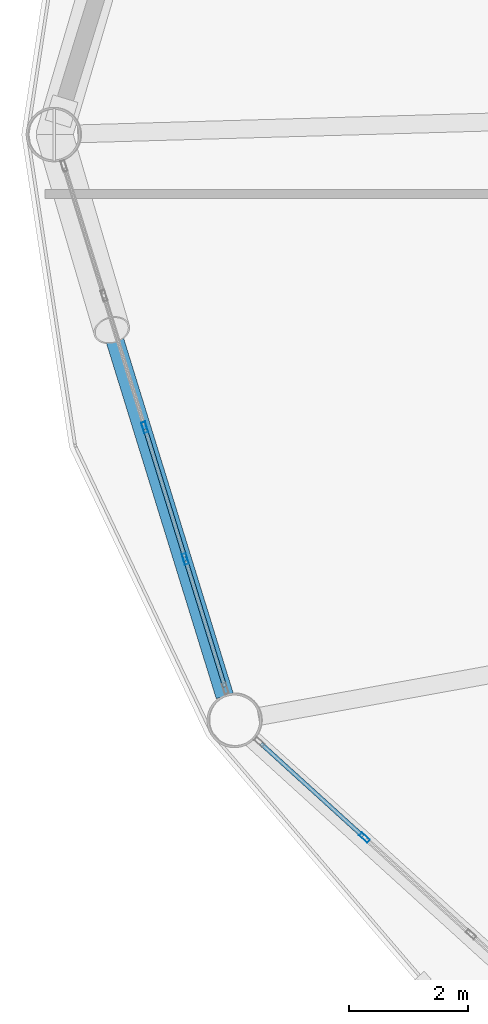
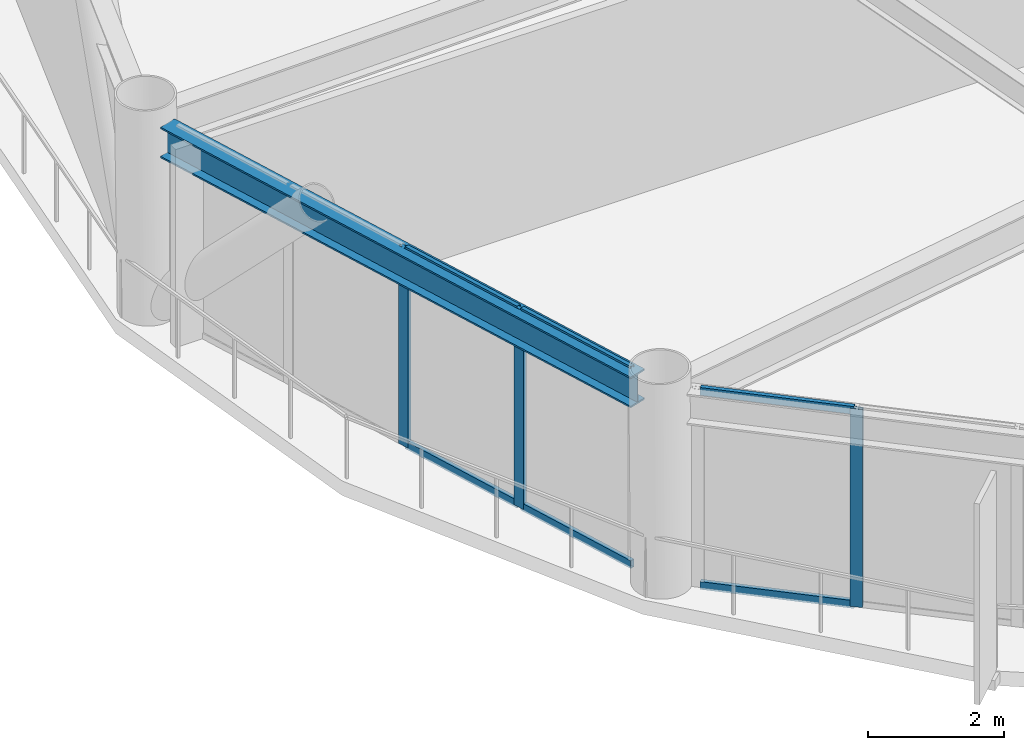
# One storey, part 3 of 25: 9 members, 1 beam, 2 elements without a shape of their own.
"""IFC4 building model written with IfcOpenShell, lengths in metres."""

from ifc_helpers import new_model, si_unit, direction, frame, origin, origin_2d, place, context, subcontext, project, spatial, hollow_rectangle, i_section, extrude, material, layer, layer_set, material_profile, profile_set, type_object, element, aggregate, save


model = new_model("IFC4")

# Units and contexts
model_context = context("Model", 3, precision=1e-05, world=origin(), true_north=direction((0.0, 1.0)))
body_context = subcontext(model_context, "Body", "Model", "MODEL_VIEW")
ifc_project = project(units=[si_unit("LENGTHUNIT", "METRE"), si_unit("AREAUNIT", "SQUARE_METRE"), si_unit("VOLUMEUNIT", "CUBIC_METRE"), si_unit("PLANEANGLEUNIT", "RADIAN"), si_unit("MASSUNIT", "GRAM", prefix="KILO")], contexts=[model_context])

# Site, building, storey
site_placement = place(None, origin())
site = spatial("IfcSite", under=ifc_project, at=site_placement, CompositionType="ELEMENT")
building_placement = place(site_placement, origin())
building = spatial("IfcBuilding", under=site, at=building_placement, Name="Varnakorn Sky Granary", CompositionType="ELEMENT")
storey_placement = place(building_placement, frame((0.0, 0.0, 74.39990234375)))
storey = spatial("IfcBuildingStorey", under=building, at=storey_placement, Name="L18", CompositionType="ELEMENT", Elevation=74.39990234375)

# Beam
ifc_material_1 = material(Name="Steel S355JR", Category="steel")
ifc_material_profile_1 = material_profile(ifc_material_1, i_section(OverallWidth=0.300048828125, OverallDepth=0.550048828125, WebThickness=0.014892578125, FlangeThickness=0.029052734375, at=origin_2d()), Name="HE 550 B")
ifc_profile_set_1 = profile_set([ifc_material_profile_1], Name="Steel S355JR")
beam_type = type_object("IfcBeamType", Name="BM-SPD-Z1", PredefinedType="SPANDREL", material=ifc_profile_set_1)
beam_placement = place(storey_placement, frame((-23.1806640625, -0.42236328125, 3.275146484375), z_axis=(0.295047656432, -0.955482538006, 0.0), x_axis=(0.955482538006, 0.295047656432, 0.0)))
element("IfcBeam", 1, at=beam_placement, inside=storey, type_object=beam_type, Name="Perimeter Spandrel Ring Beam RB07 L18", PredefinedType="SPANDREL", context=body_context, shape_type="SweptSolid", body=[
    extrude(i_section(OverallWidth=0.300048828125, OverallDepth=0.550048828125, WebThickness=0.014892578125, FlangeThickness=0.029052734375, at=origin_2d()), origin(), (0.0, 0.0, 1.0), 9.41650390625),
])

# Curtain wall, members
ifc_material_2 = material(Name="Anodised Bronze Aluminium Alloy 6063-T6", Category="aluminium")
ifc_layer = layer(ifc_material_2, 0.18994140625, Name="Anodised Bronze Aluminium Alloy 6063-T6")
ifc_layer_set = layer_set([ifc_layer], Name="Anodised Bronze Aluminium Alloy 6063-T6")
curtain_wall_type = type_object("IfcCurtainWallType", Name="CW-FRM-1", PredefinedType="USERDEFINED", material=ifc_layer_set)
curtain_wall_1_placement = place(storey_placement, origin())
curtain_wall_1 = element("IfcCurtainWall", 2, at=curtain_wall_1_placement, inside=storey, type_object=curtain_wall_type, Name="Unitised Curtain Wall CW3 CW-L18-B07", ObjectType="CURTAIN WALL", PredefinedType="USERDEFINED")
ifc_material_profile_2 = material_profile(ifc_material_2, hollow_rectangle(XDim=0.070068359375, YDim=0.18505859375, WallThickness=0.00390625, at=origin_2d()), Name="ALU MULL 70x185")
ifc_profile_set_2 = profile_set([ifc_material_profile_2], Name="Anodised Bronze Aluminium Alloy 6063-T6")
member_type_1 = type_object("IfcMemberType", Name="CW-FRM-1-MULL", PredefinedType="MULLION", material=ifc_profile_set_2)
member_1_placement = place(storey_placement, frame((-21.06396484375, -7.120361328125, 0.0), z_axis=(0.0, 0.0, 1.0), x_axis=(-0.955503832529, -0.294978687405, 0.0)))
member_1 = element("IfcMember", 3, at=member_1_placement, type_object=member_type_1, Name="CW3 mullion 2", PredefinedType="MULLION", context=body_context, shape_type="SweptSolid", body=[
    extrude(hollow_rectangle(XDim=0.070068359375, YDim=0.18505859375, WallThickness=0.00390625, at=origin_2d()), origin(), (0.0, 0.0, 1.0), 3.550048828125),
])
member_2_placement = place(storey_placement, frame((-21.745849609375, -4.91162109375, 0.0), z_axis=(0.0, 0.0, 1.0), x_axis=(-0.955503832529, -0.294978687405, 0.0)))
member_2 = element("IfcMember", 4, at=member_2_placement, type_object=member_type_1, Name="CW3 mullion 3", PredefinedType="MULLION", context=body_context, shape_type="SweptSolid", body=[
    extrude(hollow_rectangle(XDim=0.070068359375, YDim=0.18505859375, WallThickness=0.00390625, at=origin_2d()), origin(), (0.0, 0.0, 1.0), 3.550048828125),
])

# Curtain wall, member
curtain_wall_2_placement = place(storey_placement, origin())
curtain_wall_2 = element("IfcCurtainWall", 5, at=curtain_wall_2_placement, inside=storey, type_object=curtain_wall_type, Name="Unitised Curtain Wall CW3 CW-L18-B08", ObjectType="CURTAIN WALL", PredefinedType="USERDEFINED")
member_3_placement = place(storey_placement, frame((-18.05908203125, -11.79443359375, 0.0), z_axis=(0.0, 0.0, 1.0), x_axis=(-0.672398130197, -0.740189674683, 0.0)))
member_3 = element("IfcMember", 6, at=member_3_placement, type_object=member_type_1, Name="CW3 mullion 4", PredefinedType="MULLION", context=body_context, shape_type="SweptSolid", body=[
    extrude(hollow_rectangle(XDim=0.070068359375, YDim=0.18505859375, WallThickness=0.00390625, at=origin_2d()), origin(), (0.0, 0.0, 1.0), 3.550048828125),
])

# Member
ifc_material_profile_3 = material_profile(ifc_material_2, hollow_rectangle(XDim=0.070068359375, YDim=0.139892578125, WallThickness=0.00341796875, at=origin_2d()), Name="ALU TRAN 70x140")
ifc_profile_set_3 = profile_set([ifc_material_profile_3], Name="Anodised Bronze Aluminium Alloy 6063-T6")
member_type_2 = type_object("IfcMemberType", Name="CW-FRM-1-TRAN", PredefinedType="USERDEFINED", material=ifc_profile_set_3)
member_4_placement = place(storey_placement, frame((-20.402587890625, -9.26220703125, 0.03515625), z_axis=(-0.29497205597, 0.955505879729, 0.0), x_axis=(-0.955505879729, -0.29497205597, 0.0)))
member_4 = element("IfcMember", 7, at=member_4_placement, type_object=member_type_2, Name="CW3 transom 1.1", ObjectType="TRANSOM", PredefinedType="USERDEFINED", context=body_context, shape_type="SweptSolid", body=[
    extrude(hollow_rectangle(XDim=0.070068359375, YDim=0.139892578125, WallThickness=0.00341796875, at=origin_2d()), origin(), (0.0, 0.0, 1.0), 2.20654296875),
])

member_5_placement = place(storey_placement, frame((-20.402587890625, -9.26220703125, 3.51513671875), z_axis=(-0.29497205597, 0.955505879729, 0.0), x_axis=(-0.955505879729, -0.29497205597, 0.0)))
member_5 = element("IfcMember", 8, at=member_5_placement, type_object=member_type_2, Name="CW3 transom 1.2", ObjectType="TRANSOM", PredefinedType="USERDEFINED", context=body_context, shape_type="SweptSolid", body=[
    extrude(hollow_rectangle(XDim=0.070068359375, YDim=0.139892578125, WallThickness=0.00341796875, at=origin_2d()), origin(), (0.0, 0.0, 1.0), 2.20654296875),
])

member_6_placement = place(storey_placement, frame((-21.07421875, -7.0869140625, 0.03515625), z_axis=(-0.294912232506, 0.955524345644, 0.0), x_axis=(-0.955524345644, -0.294912232506, 0.0)))
member_6 = element("IfcMember", 9, at=member_6_placement, type_object=member_type_2, Name="CW3 transom 2.1", ObjectType="TRANSOM", PredefinedType="USERDEFINED", context=body_context, shape_type="SweptSolid", body=[
    extrude(hollow_rectangle(XDim=0.070068359375, YDim=0.139892578125, WallThickness=0.00341796875, at=origin_2d()), origin(), (0.0, 0.0, 1.0), 2.24169921875),
])

member_7_placement = place(storey_placement, frame((-21.07421875, -7.0869140625, 3.51513671875), z_axis=(-0.294912232506, 0.955524345644, 0.0), x_axis=(-0.955524345644, -0.294912232506, 0.0)))
member_7 = element("IfcMember", 10, at=member_7_placement, type_object=member_type_2, Name="CW3 transom 2.2", ObjectType="TRANSOM", PredefinedType="USERDEFINED", context=body_context, shape_type="SweptSolid", body=[
    extrude(hollow_rectangle(XDim=0.070068359375, YDim=0.139892578125, WallThickness=0.00341796875, at=origin_2d()), origin(), (0.0, 0.0, 1.0), 2.24169921875),
])

aggregate(curtain_wall_1, [member_1, member_2, member_4, member_5, member_6, member_7])

member_8_placement = place(storey_placement, frame((-18.0849609375, -11.77099609375, 0.03515625), z_axis=(-0.740217373706, 0.672367637281, 0.0), x_axis=(-0.672367637281, -0.740217373706, 0.0)))
member_8 = element("IfcMember", 11, at=member_8_placement, type_object=member_type_2, Name="CW3 transom 4.1", ObjectType="TRANSOM", PredefinedType="USERDEFINED", context=body_context, shape_type="SweptSolid", body=[
    extrude(hollow_rectangle(XDim=0.070068359375, YDim=0.139892578125, WallThickness=0.00341796875, at=origin_2d()), origin(), (0.0, 0.0, 1.0), 2.31005859375),
])

member_9_placement = place(storey_placement, frame((-18.0849609375, -11.77099609375, 3.51513671875), z_axis=(-0.740217373706, 0.672367637281, 0.0), x_axis=(-0.672367637281, -0.740217373706, 0.0)))
member_9 = element("IfcMember", 12, at=member_9_placement, type_object=member_type_2, Name="CW3 transom 4.2", ObjectType="TRANSOM", PredefinedType="USERDEFINED", context=body_context, shape_type="SweptSolid", body=[
    extrude(hollow_rectangle(XDim=0.070068359375, YDim=0.139892578125, WallThickness=0.00341796875, at=origin_2d()), origin(), (0.0, 0.0, 1.0), 2.31005859375),
])

aggregate(curtain_wall_2, [member_3, member_8, member_9])

save(model, "model.ifc")
